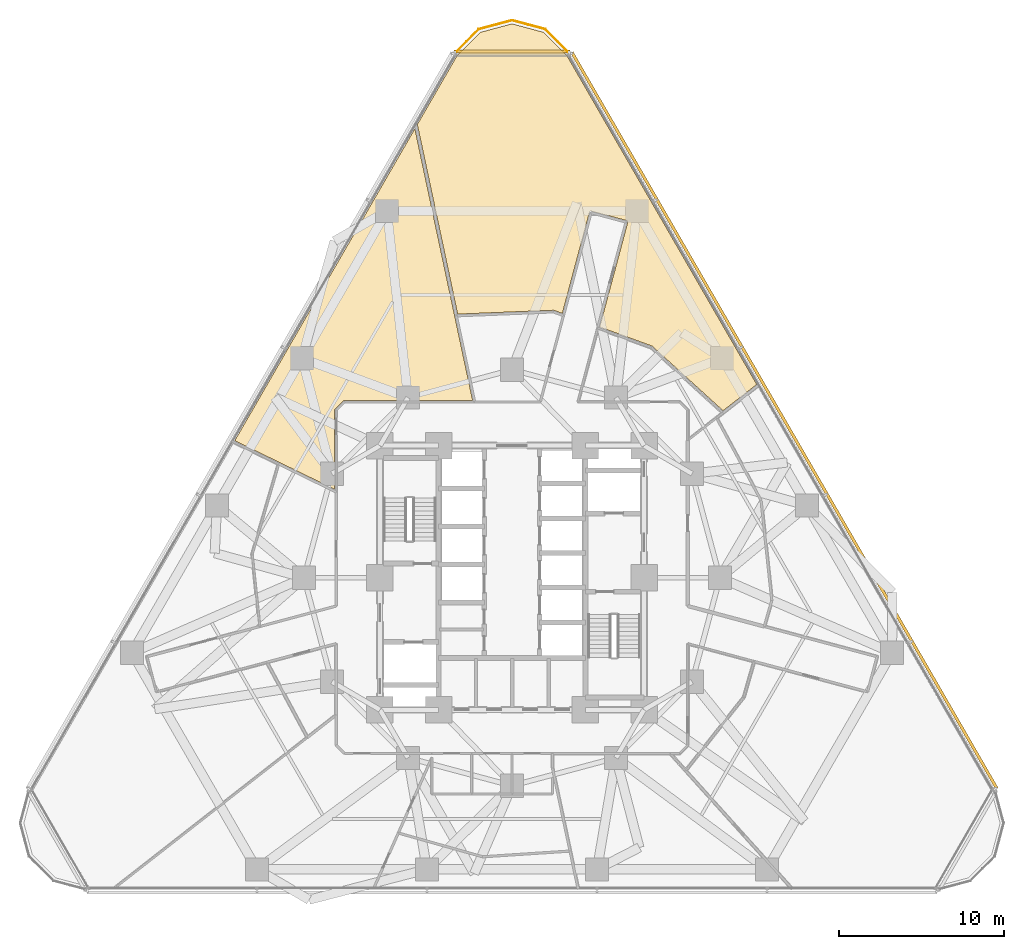
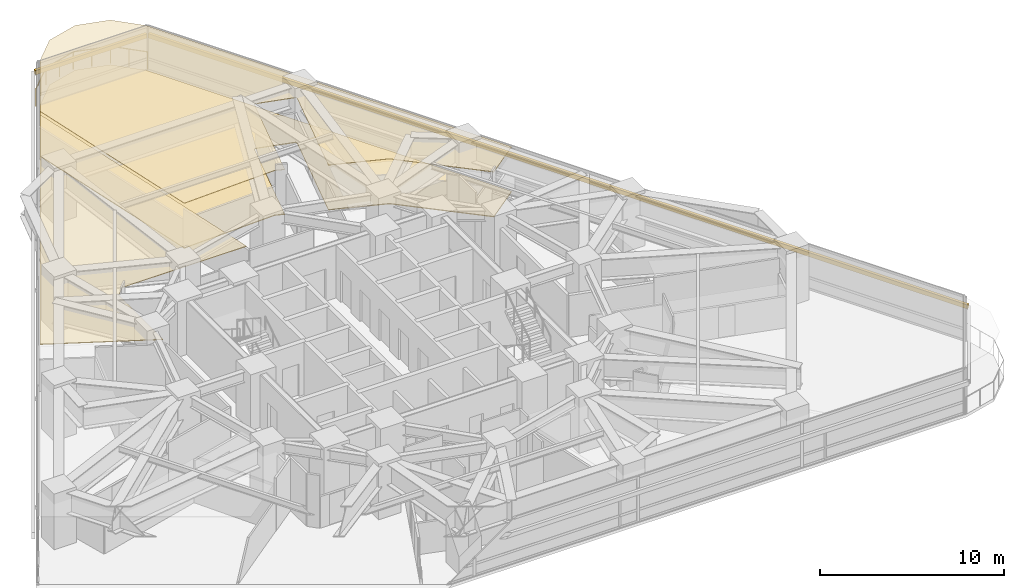
# One storey, part 15 of 15: 3 coverings, 2 shading devices, 1 railing.
"""IFC4 building model written with IfcOpenShell, lengths in metres."""

from ifc_helpers import new_model, si_unit, direction, frame, origin, origin_2d, place, context, subcontext, project, spatial, polyline, rectangle, circle, outline, extrude, material, layer, layer_set, type_object, element, save


model = new_model("IFC4")

# Units and contexts
model_context = context("Model", 3, precision=1e-05, world=origin(), true_north=direction((0.0, 1.0)))
body_context = subcontext(model_context, "Body", "Model", "MODEL_VIEW")
ifc_project = project(units=[si_unit("LENGTHUNIT", "METRE"), si_unit("AREAUNIT", "SQUARE_METRE"), si_unit("VOLUMEUNIT", "CUBIC_METRE"), si_unit("PLANEANGLEUNIT", "RADIAN"), si_unit("MASSUNIT", "GRAM", prefix="KILO")], contexts=[model_context])

# Site, building, storey
site_placement = place(None, origin())
site = spatial("IfcSite", under=ifc_project, at=site_placement, CompositionType="ELEMENT")
building_placement = place(site_placement, origin())
building = spatial("IfcBuilding", under=site, at=building_placement, Name="Terralouvre Media Tower", CompositionType="ELEMENT")
storey_placement = place(building_placement, frame((0.0, 0.0, 51.89990234375)))
storey = spatial("IfcBuildingStorey", under=building, at=storey_placement, Name="L12", CompositionType="ELEMENT", Elevation=51.89990234375)

# Coverings
ifc_material_1 = material(Name="Resilient elastomer acoustic broadcast studio flooring")
ifc_layer_1 = layer(ifc_material_1, 0.050048828125, Name="Broadcast Studio Acoustic Floating Floor FL-AC1")
ifc_layer_set_1 = layer_set([ifc_layer_1], Name="Resilient elastomer acoustic broadcast studio flooring")
covering_type_1 = type_object("IfcCoveringType", Name="Broadcast Studio Acoustic Floating Floor FL-AC1", PredefinedType="FLOORING", material=ifc_layer_set_1)
covering_1_placement = place(storey_placement, origin())
element("IfcCovering", 1, at=covering_1_placement, inside=storey, type_object=covering_type_1, Name="L12 Periodicals Reading Club 4 Acoustic Floating Floor", PredefinedType="FLOORING", context=body_context, shape_type="SweptSolid", body=[
    extrude(outline(polyline([(-3.292724609375, 15.970458984375), (2.498779296875, 16.206787109375), (2.5087890625, 16.206787109375), (2.518310546875, 16.205810546875), (2.52783203125, 16.203857421875), (2.537353515625, 16.200927734375), (3.048583984375, 16.014404296875), (4.6904296875, 22.140869140625), (4.693359375, 22.150146484375), (4.697265625, 22.1591796875), (4.7021484375, 22.167724609375), (4.707763671875, 22.17578125), (4.714111328125, 22.183349609375), (4.72119140625, 22.190185546875), (4.728759765625, 22.1962890625), (4.737060546875, 22.20166015625), (4.74560546875, 22.2060546875), (4.7548828125, 22.209716796875), (4.764404296875, 22.21240234375), (4.77392578125, 22.214111328125), (4.78369140625, 22.21484375), (4.793701171875, 22.21484375), (4.80322265625, 22.213623046875), (4.81298828125, 22.211669921875), (6.93798828125, 21.6416015625), (6.947265625, 21.638671875), (6.956298828125, 21.634765625), (6.96484375, 21.6298828125), (6.972900390625, 21.624267578125), (6.98046875, 21.617919921875), (6.9873046875, 21.61083984375), (6.993408203125, 21.603271484375), (6.99853515625, 21.594970703125), (7.003173828125, 21.586181640625), (7.006591796875, 21.5771484375), (7.009521484375, 21.567626953125), (7.010986328125, 21.55810546875), (7.011962890625, 21.54833984375), (7.01171875, 21.538330078125), (7.0107421875, 21.52880859375), (7.008544921875, 21.51904296875), (5.312255859375, 15.190673828125), (8.47021484375, 14.041015625), (8.479248046875, 14.037109375), (8.48779296875, 14.03271484375), (8.495849609375, 14.027099609375), (8.50341796875, 14.02099609375), (12.7880859375, 10.117919921875), (14.827880859375, 11.711181640625), (3.3310546875, 31.62353515625), (1.9111328125, 33.043212890625), (0.0, 33.555419921875), (-1.9111328125, 33.043212890625), (-3.3310546875, 31.62353515625), (-5.735107421875, 27.460205078125), (-3.292724609375, 15.970458984375)])), origin(), (0.0, 0.0, 1.0), 0.050048828125),
])
ifc_material_2 = material(Name="Perforated aluminium acoustic ceiling baffle", Category="aluminium")
ifc_layer_2 = layer(ifc_material_2, 0.0400390625, Name="Perforated Acoustic Metal Tile Ceiling CL-AC1")
ifc_layer_set_2 = layer_set([ifc_layer_2], Name="Perforated aluminium acoustic ceiling baffle")
covering_type_2 = type_object("IfcCoveringType", Name="Perforated Acoustic Metal Tile Ceiling CL-AC1", PredefinedType="CEILING", material=ifc_layer_set_2)
covering_2_placement = place(storey_placement, frame((0.0, 0.0, 2.97998046875)))
element("IfcCovering", 2, at=covering_2_placement, inside=storey, type_object=covering_type_2, Name="L12 Periodicals Reading Club 4 Acoustic Ceiling", PredefinedType="CEILING", context=body_context, shape_type="SweptSolid", body=[
    extrude(outline(polyline([(-3.292724609375, 15.970458984375), (2.498779296875, 16.206787109375), (2.5087890625, 16.206787109375), (2.518310546875, 16.205810546875), (2.52783203125, 16.203857421875), (2.537353515625, 16.200927734375), (3.048583984375, 16.014404296875), (4.6904296875, 22.140869140625), (4.693359375, 22.150146484375), (4.697265625, 22.1591796875), (4.7021484375, 22.167724609375), (4.707763671875, 22.17578125), (4.714111328125, 22.183349609375), (4.72119140625, 22.190185546875), (4.728759765625, 22.1962890625), (4.737060546875, 22.20166015625), (4.74560546875, 22.2060546875), (4.7548828125, 22.209716796875), (4.764404296875, 22.21240234375), (4.77392578125, 22.214111328125), (4.78369140625, 22.21484375), (4.793701171875, 22.21484375), (4.80322265625, 22.213623046875), (4.81298828125, 22.211669921875), (6.93798828125, 21.6416015625), (6.947265625, 21.638671875), (6.956298828125, 21.634765625), (6.96484375, 21.6298828125), (6.972900390625, 21.624267578125), (6.98046875, 21.617919921875), (6.9873046875, 21.61083984375), (6.993408203125, 21.603271484375), (6.99853515625, 21.594970703125), (7.003173828125, 21.586181640625), (7.006591796875, 21.5771484375), (7.009521484375, 21.567626953125), (7.010986328125, 21.55810546875), (7.011962890625, 21.54833984375), (7.01171875, 21.538330078125), (7.0107421875, 21.52880859375), (7.008544921875, 21.51904296875), (5.312255859375, 15.190673828125), (8.47021484375, 14.041015625), (8.479248046875, 14.037109375), (8.48779296875, 14.03271484375), (8.495849609375, 14.027099609375), (8.50341796875, 14.02099609375), (12.7880859375, 10.117919921875), (14.827880859375, 11.711181640625), (3.3310546875, 31.62353515625), (1.9111328125, 33.043212890625), (0.0, 33.555419921875), (-1.9111328125, 33.043212890625), (-3.3310546875, 31.62353515625), (-5.735107421875, 27.460205078125), (-3.292724609375, 15.970458984375)])), origin(), (0.0, 0.0, 1.0), 0.0400390625),
])
covering_3_placement = place(storey_placement, frame((0.0, 0.0, 2.97998046875)))
element("IfcCovering", 3, at=covering_3_placement, inside=storey, type_object=covering_type_2, Name="L12 Broadcast Ethics Seminar Room 14 Acoustic Ceiling", PredefinedType="CEILING", context=body_context, shape_type="SweptSolid", body=[
    extrude(outline(polyline([(-10.75, 5.35400390625), (-10.75, 10.14990234375), (-10.74951171875, 10.159912109375), (-10.748046875, 10.16943359375), (-10.74560546875, 10.178955078125), (-10.742431640625, 10.188232421875), (-10.73828125, 10.197021484375), (-10.733154296875, 10.20556640625), (-10.727294921875, 10.21337890625), (-10.720703125, 10.220703125), (-10.220703125, 10.720703125), (-10.21337890625, 10.727294921875), (-10.20556640625, 10.733154296875), (-10.197021484375, 10.73828125), (-10.188232421875, 10.742431640625), (-10.178955078125, 10.74560546875), (-10.16943359375, 10.748046875), (-10.159912109375, 10.74951171875), (-10.14990234375, 10.75), (-2.387451171875, 10.75), (-3.470703125, 15.84619140625), (-5.884521484375, 27.201416015625), (-16.7958984375, 8.302978515625), (-14.089111328125, 6.98291015625), (-10.75, 5.35400390625)])), origin(), (0.0, 0.0, 1.0), 0.0400390625),
])

# Railing
ifc_material_3 = material(Name="Stainless steel 316 handrail and balustrade", Category="steel")
ifc_layer_3 = layer(ifc_material_3, 0.06005859375, Name="Roof Edge Safety Guardrail GR-ROOF1")
ifc_layer_set_3 = layer_set([ifc_layer_3], Name="Stainless steel 316 handrail and balustrade")
railing_type = type_object("IfcRailingType", Name="Roof Edge Safety Guardrail GR-ROOF1", PredefinedType="GUARDRAIL", material=ifc_layer_set_3)
railing_placement = place(storey_placement, frame((3.505859375, 31.74365234375, 0.0)))
element("IfcRailing", 4, at=railing_placement, inside=storey, type_object=railing_type, Name="L12 Wind-Corner Perimeter Safety Guardrail C2", PredefinedType="GUARDRAIL", context=body_context, shape_type="SweptSolid", body=[
    extrude(circle(Radius=0.02099609375, at=origin_2d()), frame((0.0, 0.0, 1.12890625), z_axis=(-0.706932035913, 0.707281483286, 0.0), x_axis=(-0.707281483286, -0.706932035913, 0.0)), (0.0, 0.0, 1.0), 2.095947265625),
    extrude(circle(Radius=0.02099609375, at=origin_2d()), frame((-1.481689453125, 1.482421875, 1.12890625), z_axis=(-0.965913206711, 0.258866137416, 0.0), x_axis=(-0.258866137416, -0.965913206711, 0.0)), (0.0, 0.0, 1.0), 2.095703125),
    extrude(circle(Radius=0.02099609375, at=origin_2d()), frame((-3.505859375, 2.02490234375, 1.12890625), z_axis=(-0.965913206711, -0.258866137416, 0.0), x_axis=(0.258866137416, -0.965913206711, 0.0)), (0.0, 0.0, 1.0), 2.095703125),
    extrude(circle(Radius=0.02099609375, at=origin_2d()), frame((-5.530029296875, 1.482421875, 1.12890625), z_axis=(-0.706932035913, -0.707281483286, 0.0), x_axis=(0.707281483286, -0.706932035913, 0.0)), (0.0, 0.0, 1.0), 2.095947265625),
    extrude(circle(Radius=0.01904296875, at=origin_2d()), origin(), (0.0, 0.0, 1.0), 1.10791015625),
    extrude(circle(Radius=0.01904296875, at=origin_2d()), frame((-0.74072265625, 0.7412109375, 0.0)), (0.0, 0.0, 1.0), 1.10791015625),
    extrude(circle(Radius=0.01904296875, at=origin_2d()), frame((-1.481689453125, 1.482421875, 0.0)), (0.0, 0.0, 1.0), 1.10791015625),
    extrude(circle(Radius=0.01904296875, at=origin_2d()), frame((-2.49365234375, 1.753662109375, 0.0)), (0.0, 0.0, 1.0), 1.10791015625),
    extrude(circle(Radius=0.01904296875, at=origin_2d()), frame((-3.505859375, 2.02490234375, 0.0)), (0.0, 0.0, 1.0), 1.10791015625),
    extrude(circle(Radius=0.01904296875, at=origin_2d()), frame((-4.51806640625, 1.753662109375, 0.0)), (0.0, 0.0, 1.0), 1.10791015625),
    extrude(circle(Radius=0.01904296875, at=origin_2d()), frame((-5.530029296875, 1.482421875, 0.0)), (0.0, 0.0, 1.0), 1.10791015625),
    extrude(circle(Radius=0.01904296875, at=origin_2d()), frame((-6.27099609375, 0.7412109375, 0.0)), (0.0, 0.0, 1.0), 1.10791015625),
    extrude(circle(Radius=0.01904296875, at=origin_2d()), frame((-7.01171875, 0.0, 0.0)), (0.0, 0.0, 1.0), 1.10791015625),
])

# Shading devices
ifc_material_4 = material(Name="Extruded terracotta baguette sunshade louvres", Category="masonry")
shading_device_type = type_object("IfcShadingDeviceType", Name="Terracotta Baguette Sunshade Louvre Screen TB-LV1", PredefinedType="USERDEFINED", material=ifc_material_4)
shading_device_1_placement = place(storey_placement, frame((16.503662109375, 9.5283203125, 2.02392578125), z_axis=(0.0, 0.0, 1.0), x_axis=(-0.499999985671, 0.866025412057, 0.0)))
element("IfcShadingDevice", 5, at=shading_device_1_placement, inside=storey, type_object=shading_device_type, Name="CW-L12-F1 Terracotta Baguette Sunshade Louvre", ObjectType="BAGUETTE", PredefinedType="USERDEFINED", context=body_context, shape_type="SweptSolid", body=[
    extrude(rectangle(XDim=51.5, YDim=0.179931640625, at=origin_2d()), origin(), (0.0, 0.0, 1.0), 0.280029296875),
])
shading_device_2_placement = place(storey_placement, frame((0.0, 31.87841796875, 2.02392578125), z_axis=(0.0, 0.0, 1.0), x_axis=(-1.0, 0.0, 0.0)))
element("IfcShadingDevice", 6, at=shading_device_2_placement, inside=storey, type_object=shading_device_type, Name="CW-L12-C2 Terracotta Baguette Sunshade Louvre", ObjectType="BAGUETTE", PredefinedType="USERDEFINED", context=body_context, shape_type="SweptSolid", body=[
    extrude(rectangle(XDim=7.014892578125, YDim=0.179931640625, at=origin_2d()), origin(), (0.0, 0.0, 1.0), 0.280029296875),
])

save(model, "model.ifc")
